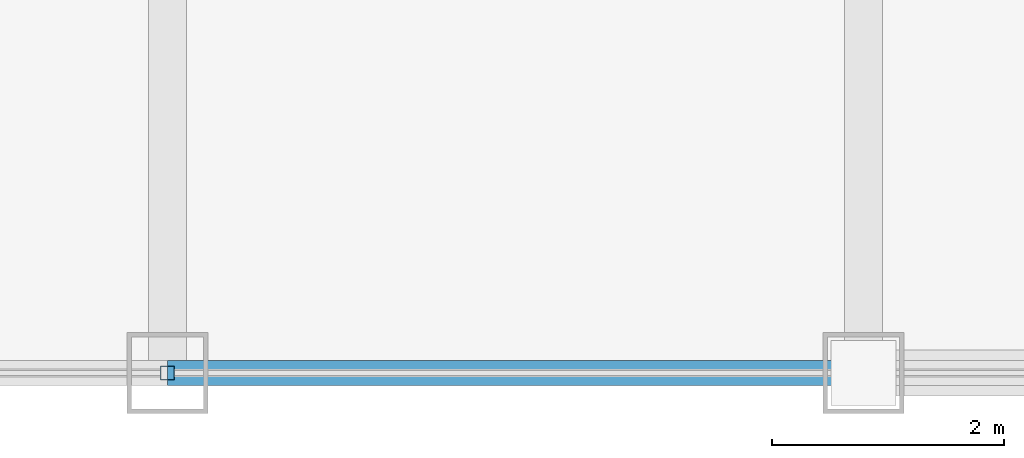
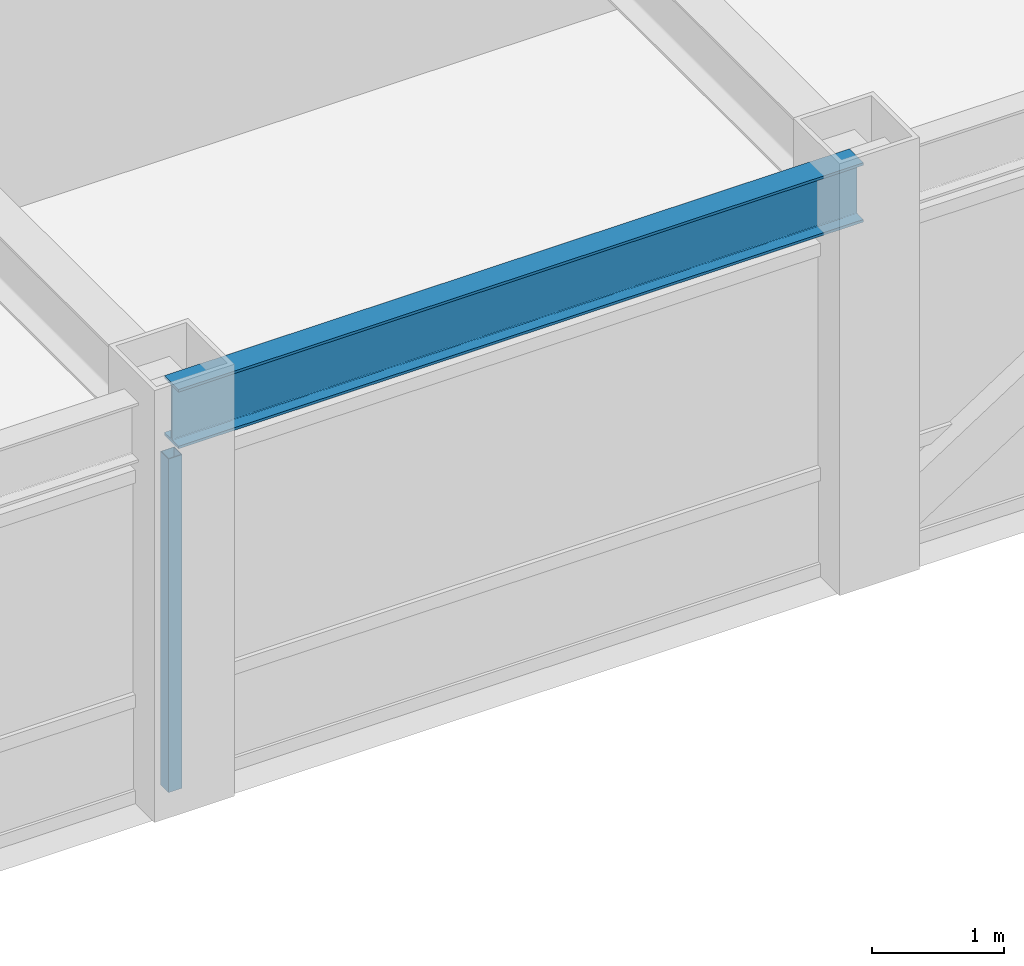
# One storey, part 4 of 29: 1 beam, 1 member, 1 element without a shape of its own.
"""IFC4 building model written with IfcOpenShell, lengths in metres."""

from ifc_helpers import new_model, si_unit, direction, frame, origin, origin_2d, place, context, subcontext, project, spatial, hollow_rectangle, i_section, extrude, source, transform, mapped, material, material_profile, profile_set, type_object, element, aggregate, save


model = new_model("IFC4")

# Units and contexts
model_context = context("Model", 3, precision=1e-05, world=origin(), true_north=direction((0.0, 1.0)))
body_context = subcontext(model_context, "Body", "Model", "MODEL_VIEW")
ifc_project = project(units=[si_unit("LENGTHUNIT", "METRE"), si_unit("AREAUNIT", "SQUARE_METRE"), si_unit("VOLUMEUNIT", "CUBIC_METRE"), si_unit("PLANEANGLEUNIT", "RADIAN"), si_unit("MASSUNIT", "GRAM", prefix="KILO")], contexts=[model_context])

# Site, building, storey
site_placement = place(None, origin())
site = spatial("IfcSite", under=ifc_project, at=site_placement, CompositionType="ELEMENT")
building_placement = place(site_placement, origin())
building = spatial("IfcBuilding", under=site, at=building_placement, Name="Khorayat Bourse Tower", CompositionType="ELEMENT")
storey_placement = place(building_placement, frame((0.0, 0.0, 358.300048828125)))
storey = spatial("IfcBuildingStorey", under=building, at=storey_placement, Name="L85", CompositionType="ELEMENT", Elevation=358.300048828125)

# Beam
ifc_material_1 = material(Name="Steel ASTM A992 Grade 50", Category="steel")
ifc_material_profile_1 = material_profile(ifc_material_1, i_section(OverallWidth=0.214111328125, OverallDepth=0.549072265625, WebThickness=0.0146484375, FlangeThickness=0.023681640625, FilletRadius=0.013916015625, at=origin_2d()), Name="W530X138")
ifc_profile_set_1 = profile_set([ifc_material_profile_1], Name="Steel ASTM A992 Grade 50")
beam_type = type_object("IfcBeamType", Name="BM-SPAN-530", PredefinedType="SPANDREL", material=ifc_profile_set_1)
shared_shape_1 = source(origin(), body_context, "Body", "SweptSolid", [
    extrude(i_section(OverallWidth=0.214111328125, OverallDepth=0.549072265625, WebThickness=0.0146484375, FlangeThickness=0.023681640625, FilletRadius=0.013916015625, at=origin_2d()), origin(), (0.0, 0.0, 1.0), 6.0),
])
beam_placement = place(storey_placement, frame((0.0, -26.0, 3.46533203125), z_axis=(1.0, 0.0, 0.0), x_axis=(0.0, 1.0, 0.0)))
element("IfcBeam", 1, at=beam_placement, inside=storey, type_object=beam_type, Name="L85 BM-SPAN-530 BM-L85-SPN-027", PredefinedType="SPANDREL", context=body_context, shape_type="MappedRepresentation", body=[
    mapped(shared_shape_1, transform((0.0, 0.0, 0.0), scale=1.0)),
])

# Curtain wall, member
ifc_material_2 = material(Name="Aluminium EN AW-6063 T6", Category="aluminium")
curtain_wall_type = type_object("IfcCurtainWallType", Name="CW-SYS-04", PredefinedType="NOTDEFINED", material=ifc_material_2)
curtain_wall_placement = place(storey_placement, origin())
curtain_wall = element("IfcCurtainWall", 2, at=curtain_wall_placement, inside=storey, type_object=curtain_wall_type, Name="L85 Curtain Wall CW-L85-S1", PredefinedType="NOTDEFINED")
ifc_material_profile_2 = material_profile(ifc_material_2, hollow_rectangle(XDim=0.1201171875, YDim=0.1201171875, WallThickness=0.0048828125, at=origin_2d()), Name="ALU 120x120x5")
ifc_profile_set_2 = profile_set([ifc_material_profile_2], Name="Aluminium EN AW-6063 T6")
member_type = type_object("IfcMemberType", Name="CWM-VERT-120", PredefinedType="MULLION", material=ifc_profile_set_2)
shared_shape_2 = source(origin(), body_context, "Body", "SweptSolid", [
    extrude(hollow_rectangle(XDim=0.1201171875, YDim=0.1201171875, WallThickness=0.0048828125, at=origin_2d()), origin(), (0.0, 0.0, 1.0), 3.08984375),
])
member_placement = place(storey_placement, frame((0.0, -26.0, 0.0), z_axis=(0.0, 0.0, 1.0), x_axis=(0.0, 1.0, 0.0)))
member = element("IfcMember", 3, at=member_placement, type_object=member_type, Name="CW-L85-S1 Vertical Mullion 2", PredefinedType="MULLION", context=body_context, shape_type="MappedRepresentation", body=[
    mapped(shared_shape_2, transform((0.0, 0.0, 0.0), scale=1.0)),
])
aggregate(curtain_wall, [member])

save(model, "model.ifc")
